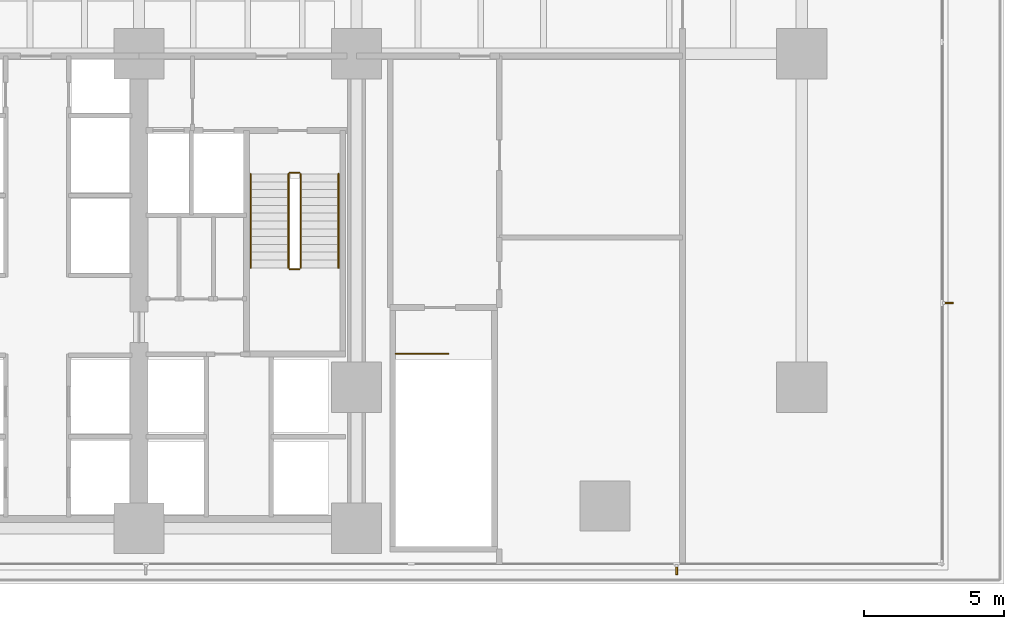
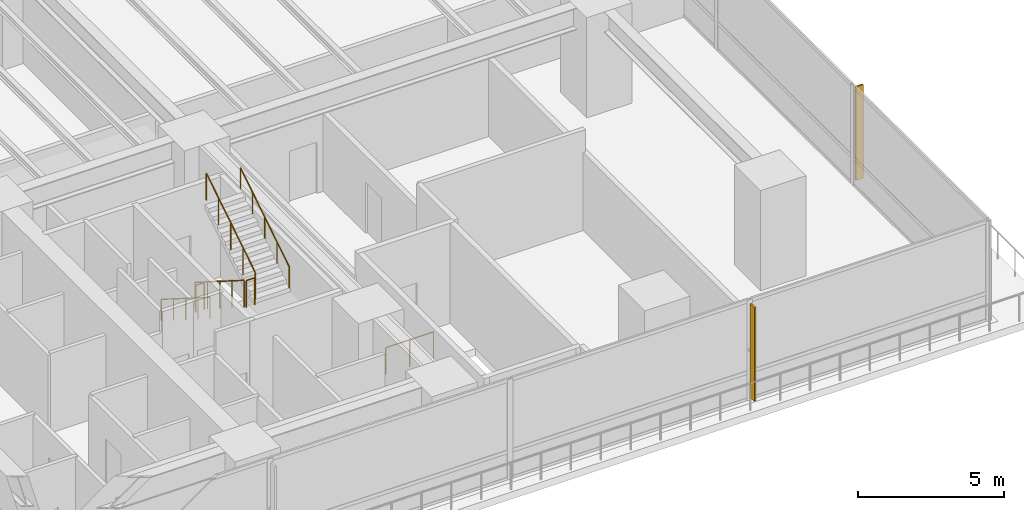
# One storey, part 18 of 21: 7 railings, 2 shading devices.
"""IFC4 building model written with IfcOpenShell, lengths in metres."""

import ifcopenshell
import ifcopenshell.guid

model = None  # the IFC model being written
_history = None  # IfcOwnerHistory: only IFC2X3 demands one
_inside = {}  # id of a spatial element -> (the spatial element, [elements in it])
_under = {}  # id of a project, library or spatial element -> (it, [spatial elements below it])
_declared = {}  # id of a project -> (the project, [libraries it declares])
_typed = {}  # id of a type object -> (the type object, [elements of that type])
_made_of = {}  # id of a material, layer set ... -> (it, [elements and type objects made of it])


def new_model(schema):
    """Start an empty IFC model of exactly this schema.

    Asked for "IFC4X3", IfcOpenShell would pick the latest addendum, in which some entities
    have other attributes; the version numbers below select the first issue.
    IFC2X3 requires an IfcOwnerHistory on every rooted entity: one is made here for all.
    """
    global model, _history
    if schema == "IFC4X3":
        model = ifcopenshell.file(schema_version=(4, 3, 0, 0))
    else:
        model = ifcopenshell.file(schema=schema)
    _inside.clear()
    _under.clear()
    _declared.clear()
    _typed.clear()
    _made_of.clear()
    _history = None
    if model.schema == "IFC2X3":
        org = make("IfcOrganization", Name="unknown")
        user = make(
            "IfcPersonAndOrganization",
            ThePerson=make("IfcPerson", FamilyName="unknown"),
            TheOrganization=org,
        )
        app = make(
            "IfcApplication",
            ApplicationDeveloper=org,
            Version="unknown",
            ApplicationFullName="unknown",
            ApplicationIdentifier="unknown",
        )
        _history = make(
            "IfcOwnerHistory",
            OwningUser=user,
            OwningApplication=app,
            ChangeAction="ADDED",
            CreationDate=0,
        )
    return model


def make(cls, **values):
    """One entity of the class cls with the attributes given. An attribute that is None is left unset."""
    return model.create_entity(
        cls, **{name: value for name, value in values.items() if value is not None}
    )


def rooted(cls, **values):
    """An entity with a GlobalId (a new one), such as an element, a storey or a relation."""
    return make(cls, GlobalId=ifcopenshell.guid.new(), OwnerHistory=_history, **values)


def si_unit(unit_type, name, prefix=None):
    """IfcSIUnit, for example si_unit("LENGTHUNIT", "METRE", prefix="MILLI")."""
    return make("IfcSIUnit", UnitType=unit_type, Prefix=prefix, Name=name)


def assignment(units):
    """IfcUnitAssignment: the units of a project."""
    return None if units is None else make("IfcUnitAssignment", Units=units)


def point(xyz):
    """IfcCartesianPoint."""
    return None if xyz is None else make("IfcCartesianPoint", Coordinates=xyz)


def direction(xyz):
    """IfcDirection."""
    return None if xyz is None else make("IfcDirection", DirectionRatios=xyz)


def frame(location, z_axis=None, x_axis=None):
    """IfcAxis2Placement3D, a coordinate frame: its origin and axes. An axis left out is left unset."""
    return make(
        "IfcAxis2Placement3D",
        Location=point(location),
        Axis=direction(z_axis),
        RefDirection=direction(x_axis),
    )


def frame_2d(location, x_axis=None):
    """IfcAxis2Placement2D, a coordinate frame in the plane: its origin and x axis."""
    return make(
        "IfcAxis2Placement2D", Location=point(location), RefDirection=direction(x_axis)
    )


def origin():
    """The frame at (0, 0, 0) with its axes left unset."""
    return frame((0.0, 0.0, 0.0))


def origin_2d():
    """The frame at (0, 0) in the plane with its x axis left unset."""
    return frame_2d((0.0, 0.0))


def place(relative_to, where):
    """IfcLocalPlacement: puts the frame where relative to a parent placement (None: the world)."""
    return make(
        "IfcLocalPlacement", PlacementRelTo=relative_to, RelativePlacement=where
    )


def context(
    kind, dimensions, precision=None, world=None, true_north=None, identifier=None
):
    """IfcGeometricRepresentationContext, for example the 3D "Model" context."""
    return make(
        "IfcGeometricRepresentationContext",
        ContextIdentifier=identifier,
        ContextType=kind,
        CoordinateSpaceDimension=dimensions,
        Precision=precision,
        WorldCoordinateSystem=world,
        TrueNorth=true_north,
    )


def subcontext(parent, identifier, kind, view, scale=None):
    """IfcGeometricRepresentationSubContext, for example "Body" below "Model"."""
    return make(
        "IfcGeometricRepresentationSubContext",
        ContextIdentifier=identifier,
        ContextType=kind,
        ParentContext=parent,
        TargetScale=scale,
        TargetView=view,
    )


def project(units=None, contexts=None):
    """IfcProject with its units and contexts."""
    return rooted(
        "IfcProject",
        Name="project",
        RepresentationContexts=contexts,
        UnitsInContext=assignment(units),
    )


def spatial(cls, under=None, at=None, **own):
    """A site, building, storey or space (cls), placed at a placement, below another one or the project."""
    s = rooted(cls, ObjectPlacement=at, **own)
    if under is not None:
        _under.setdefault(under.id(), (under, []))[1].append(s)
    return s


def polyline(points):
    """IfcPolyline through the points."""
    return make("IfcPolyline", Points=[point(p) for p in points])


def profile(cls, at=None, kind="AREA", **sizes):
    """A parametric profile (cls). Its sizes go by their IFC names, for example OverallWidth=200.0."""
    return make(cls, ProfileType=kind, Position=at, **sizes)


def circle(**sizes):
    """IfcCircleProfileDef."""
    return profile("IfcCircleProfileDef", **sizes)


def outline(outer, holes=None, kind="AREA"):
    """IfcArbitraryClosedProfileDef: a profile drawn as a closed curve; with holes, ...WithVoids."""
    if holes is None:
        return make("IfcArbitraryClosedProfileDef", ProfileType=kind, OuterCurve=outer)
    return make(
        "IfcArbitraryProfileDefWithVoids",
        ProfileType=kind,
        OuterCurve=outer,
        InnerCurves=holes,
    )


def extrude(swept, where, along, depth):
    """IfcExtrudedAreaSolid: the profile swept, set in the frame where, extruded along a direction by depth."""
    return make(
        "IfcExtrudedAreaSolid",
        SweptArea=swept,
        Position=where,
        ExtrudedDirection=direction(along),
        Depth=depth,
    )


def shape(context_of_items, identifier, shape_type, items):
    """IfcShapeRepresentation: the items that make up one representation, for example the "Body"."""
    return make(
        "IfcShapeRepresentation",
        ContextOfItems=context_of_items,
        RepresentationIdentifier=identifier,
        RepresentationType=shape_type,
        Items=items,
    )


def material(Name=None, Category=None):
    """IfcMaterial."""
    return make("IfcMaterial", Name=Name, Category=Category)


def layer(
    of_material, thickness, ventilated=None, Name=None, Category=None, Priority=None
):
    """IfcMaterialLayer: one layer of a wall or slab, of a material (None: an air gap)."""
    return make(
        "IfcMaterialLayer",
        Material=of_material,
        LayerThickness=thickness,
        IsVentilated=ventilated,
        Name=Name,
        Category=Category,
        Priority=Priority,
    )


def layer_set(layers, Name=None):
    """IfcMaterialLayerSet."""
    return make("IfcMaterialLayerSet", MaterialLayers=layers, LayerSetName=Name)


def made_of(thing, what):
    """Note that an element or type object is made of a material, layer set ...; save() writes the relation."""
    if what is not None:
        _made_of.setdefault(what.id(), (what, []))[1].append(thing)
    return thing


def type_object(cls, material=None, **own):
    """A type object (cls), such as IfcWallType, which elements share."""
    return made_of(rooted(cls, **own), material)


def element(
    cls,
    number,
    at=None,
    inside=None,
    cuts=None,
    type_object=None,
    material=None,
    context=None,
    identifier="Body",
    shape_type=None,
    held_by="IfcProductDefinitionShape",
    body=None,
    shapes=None,
    **own,
):
    """One element of the class cls, such as IfcWall. Its Tag is "e" and its number.

    at: its placement. inside: the storey or other place that contains it. cuts: it is an
    opening in that element (IfcRelVoidsElement). A single representation is given by context,
    identifier, shape_type and body (its items); several are given by shapes. held_by: the class
    of the entity that holds the representations. save() writes the other relations.
    """
    e = rooted(cls, Tag="e%d" % number, ObjectPlacement=at, **own)
    if body is not None:
        shapes = [shape(context, identifier, shape_type, body)]
    if shapes is not None:
        e.Representation = make(held_by, Representations=shapes)
    if inside is not None:
        _inside.setdefault(inside.id(), (inside, []))[1].append(e)
    if cuts is not None:
        rooted(
            "IfcRelVoidsElement", RelatingBuildingElement=cuts, RelatedOpeningElement=e
        )
    if type_object is not None:
        _typed.setdefault(type_object.id(), (type_object, []))[1].append(e)
    return made_of(e, material)


def aggregate(whole, parts):
    """IfcRelAggregates: a whole, such as a stair, and the parts it consists of."""
    return rooted("IfcRelAggregates", RelatingObject=whole, RelatedObjects=parts)


def save(model, path):
    """Write the relations noted so far, then the file.

    IfcRelAggregates (storeys below a building ...), IfcRelContainedInSpatialStructure (elements
    in a storey), IfcRelDefinesByType, IfcRelAssociatesMaterial and IfcRelDeclares: one each for
    every whole, place, type object, material and project.
    """
    for whole, parts in _under.values():
        aggregate(whole, parts)
    for where, things in _inside.values():
        rooted(
            "IfcRelContainedInSpatialStructure",
            RelatedElements=things,
            RelatingStructure=where,
        )
    for kind, things in _typed.values():
        rooted("IfcRelDefinesByType", RelatedObjects=things, RelatingType=kind)
    for what, things in _made_of.values():
        rooted("IfcRelAssociatesMaterial", RelatedObjects=things, RelatingMaterial=what)
    for by, libraries in _declared.values():
        rooted("IfcRelDeclares", RelatingContext=by, RelatedDefinitions=libraries)
    model.write(path)


model = new_model("IFC4")

# Units and contexts
model_context = context("Model", 3, precision=1e-05, world=origin(), true_north=direction((0.0, 1.0)))
body_context = subcontext(model_context, "Body", "Model", "MODEL_VIEW")
ifc_project = project(units=[si_unit("LENGTHUNIT", "METRE"), si_unit("AREAUNIT", "SQUARE_METRE"), si_unit("VOLUMEUNIT", "CUBIC_METRE"), si_unit("PLANEANGLEUNIT", "RADIAN"), si_unit("MASSUNIT", "GRAM", prefix="KILO")], contexts=[model_context])

# Site, building, storey
site_placement = place(None, origin())
site = spatial("IfcSite", under=ifc_project, at=site_placement, CompositionType="ELEMENT")
building_placement = place(site_placement, origin())
building = spatial("IfcBuilding", under=site, at=building_placement, Name="Qalmaran Belvedere Hotel", CompositionType="ELEMENT")
storey_placement = place(building_placement, frame((0.0, 0.0, 23.800048828125)))
storey = spatial("IfcBuildingStorey", under=building, at=storey_placement, Name="L05", CompositionType="ELEMENT", Elevation=23.800048828125)

# Shading devices
ifc_material_1 = material(Name="Anodised Bronze Aluminium", Category="aluminium")
ifc_layer = layer(ifc_material_1, 0.06494140625, Name="Anodised Bronze Aluminium")
ifc_layer_set = layer_set([ifc_layer], Name="Anodised Bronze Aluminium")
shading_device_type = type_object("IfcShadingDeviceType", Name="FIN-BRNZ-300", PredefinedType="USERDEFINED", material=ifc_layer_set)
shading_device_1_placement = place(storey_placement, frame((0.0, 0.0, 0.159912109375)))
element("IfcShadingDevice", 1, at=shading_device_1_placement, inside=storey, type_object=shading_device_type, Name="L05 Bronze Fin 5", ObjectType="FIN", PredefinedType="USERDEFINED", context=body_context, shape_type="SweptSolid", body=[
    extrude(outline(polyline([(56.237548828125, 2.12744140625), (56.237548828125, 1.827392578125), (56.302490234375, 1.827392578125), (56.302490234375, 2.12744140625), (56.237548828125, 2.12744140625)])), origin(), (0.0, 0.0, 1.0), 3.919921875),
])
shading_device_2_placement = place(storey_placement, frame((0.0, 0.0, 0.159912109375)))
element("IfcShadingDevice", 2, at=shading_device_2_placement, inside=storey, type_object=shading_device_type, Name="L05 Bronze Fin 1", ObjectType="FIN", PredefinedType="USERDEFINED", context=body_context, shape_type="SweptSolid", body=[
    extrude(outline(polyline([(65.87255859375, 11.53955078125), (66.172607421875, 11.53955078125), (66.172607421875, 11.6044921875), (65.87255859375, 11.6044921875), (65.87255859375, 11.53955078125)])), origin(), (0.0, 0.0, 1.0), 3.919921875),
])

# Railings
ifc_material_2 = material(Name="Stainless Steel 1.4401", Category="steel")
railing_type_1 = type_object("IfcRailingType", Name="RLG-STAIR-GUARD-1150", PredefinedType="GUARDRAIL", material=ifc_material_2)
railing_1_placement = place(storey_placement, frame((42.360107421875, 16.18994140625, 0.1767578125)))
element("IfcRailing", 3, at=railing_1_placement, inside=storey, type_object=railing_type_1, Name="L05 ST-2 stair guard 1", PredefinedType="GUARDRAIL", context=body_context, shape_type="SweptSolid", body=[
    extrude(circle(Radius=0.02392578125, at=origin_2d()), frame((0.0, 0.0, 1.1259765625), z_axis=(0.0, -0.845344368971, 0.534221768416), x_axis=(1.0, 0.0, 0.0)), (0.0, 0.0, 1.0), 3.974609375),
    extrude(circle(Radius=0.02099609375, at=origin_2d()), origin(), (0.0, 0.0, 1.0), 1.101806640625),
    extrude(circle(Radius=0.02099609375, at=origin_2d()), frame((0.0, -0.83984375, 0.53076171875)), (0.0, 0.0, 1.0), 1.101806640625),
    extrude(circle(Radius=0.02099609375, at=origin_2d()), frame((0.0, -1.679931640625, 1.0615234375)), (0.0, 0.0, 1.0), 1.101806640625),
    extrude(circle(Radius=0.02099609375, at=origin_2d()), frame((0.0, -2.52001953125, 1.592529296875)), (0.0, 0.0, 1.0), 1.101806640625),
    extrude(circle(Radius=0.02099609375, at=origin_2d()), frame((0.0, -3.35986328125, 2.123291015625)), (0.0, 0.0, 1.0), 1.101806640625),
])
railing_2_placement = place(storey_placement, frame((42.409912109375, 12.780029296875, 2.300048828125)))
element("IfcRailing", 4, at=railing_2_placement, inside=storey, type_object=railing_type_1, Name="L05 ST-2 stair guard 2", PredefinedType="GUARDRAIL", context=body_context, shape_type="SweptSolid", body=[
    extrude(circle(Radius=0.02392578125, at=origin_2d()), frame((0.0, 0.0, 1.1259765625), z_axis=(1.0, 0.0, 0.0), x_axis=(0.0, 1.0, 0.0)), (0.0, 0.0, 1.0), 0.340087890625),
    extrude(circle(Radius=0.02099609375, at=origin_2d()), origin(), (0.0, 0.0, 1.0), 1.101806640625),
    extrude(circle(Radius=0.02099609375, at=origin_2d()), frame((0.340087890625, 0.0, 0.0)), (0.0, 0.0, 1.0), 1.101806640625),
])
railing_3_placement = place(storey_placement, frame((42.800048828125, 12.830078125, 2.476806640625)))
element("IfcRailing", 5, at=railing_3_placement, inside=storey, type_object=railing_type_1, Name="L05 ST-2 stair guard 3", PredefinedType="GUARDRAIL", context=body_context, shape_type="SweptSolid", body=[
    extrude(circle(Radius=0.02392578125, at=origin_2d()), frame((0.0, 0.0, 1.1259765625), z_axis=(0.0, 0.845372108799, 0.534177870812), x_axis=(-1.0, 0.0, 0.0)), (0.0, 0.0, 1.0), 3.974365234375),
    extrude(circle(Radius=0.02099609375, at=origin_2d()), origin(), (0.0, 0.0, 1.0), 1.101806640625),
    extrude(circle(Radius=0.02099609375, at=origin_2d()), frame((0.0, 0.83984375, 0.53076171875)), (0.0, 0.0, 1.0), 1.101806640625),
    extrude(circle(Radius=0.02099609375, at=origin_2d()), frame((0.0, 1.679931640625, 1.0615234375)), (0.0, 0.0, 1.0), 1.101806640625),
    extrude(circle(Radius=0.02099609375, at=origin_2d()), frame((0.0, 2.52001953125, 1.59228515625)), (0.0, 0.0, 1.0), 1.101806640625),
    extrude(circle(Radius=0.02099609375, at=origin_2d()), frame((0.0, 3.35986328125, 2.123046875)), (0.0, 0.0, 1.0), 1.101806640625),
])
railing_4_placement = place(storey_placement, frame((42.409912109375, 16.239990234375, 0.0)))
element("IfcRailing", 6, at=railing_4_placement, inside=storey, type_object=railing_type_1, Name="L05 ST-2 stair guard 4", PredefinedType="GUARDRAIL", context=body_context, shape_type="SweptSolid", body=[
    extrude(circle(Radius=0.02392578125, at=origin_2d()), frame((0.0, 0.0, 1.1259765625), z_axis=(1.0, 0.0, 0.0), x_axis=(0.0, 1.0, 0.0)), (0.0, 0.0, 1.0), 0.340087890625),
    extrude(circle(Radius=0.02099609375, at=origin_2d()), origin(), (0.0, 0.0, 1.0), 1.101806640625),
    extrude(circle(Radius=0.02099609375, at=origin_2d()), frame((0.340087890625, 0.0, 0.0)), (0.0, 0.0, 1.0), 1.101806640625),
])
railing_5_placement = place(storey_placement, frame((46.199951171875, 9.75, 0.0)))
element("IfcRailing", 7, at=railing_5_placement, inside=storey, type_object=railing_type_1, Name="L05 ST-P2 top well guard 1", PredefinedType="GUARDRAIL", context=body_context, shape_type="SweptSolid", body=[
    extrude(circle(Radius=0.02392578125, at=origin_2d()), frame((0.0, 0.0, 1.1259765625), z_axis=(1.0, 0.0, 0.0), x_axis=(0.0, 1.0, 0.0)), (0.0, 0.0, 1.0), 1.89013671875),
    extrude(circle(Radius=0.02099609375, at=origin_2d()), origin(), (0.0, 0.0, 1.0), 1.101806640625),
    extrude(circle(Radius=0.02099609375, at=origin_2d()), frame((0.945068359375, 0.0, 0.0)), (0.0, 0.0, 1.0), 1.101806640625),
    extrude(circle(Radius=0.02099609375, at=origin_2d()), frame((1.89013671875, 0.0, 0.0)), (0.0, 0.0, 1.0), 1.101806640625),
])
railing_type_2 = type_object("IfcRailingType", Name="RLG-STAIR-HAND-910", PredefinedType="HANDRAIL", material=ifc_material_2)
railing_6_placement = place(storey_placement, frame((41.010009765625, 16.18994140625, 0.1767578125)))
element("IfcRailing", 8, at=railing_6_placement, inside=storey, type_object=railing_type_2, Name="L05 ST-2 stair handrail 1", PredefinedType="HANDRAIL", context=body_context, shape_type="SweptSolid", body=[
    extrude(circle(Radius=0.02392578125, at=origin_2d()), frame((0.0, 0.0, 0.8857421875), z_axis=(0.0, -0.845344368971, 0.534221768416), x_axis=(1.0, 0.0, 0.0)), (0.0, 0.0, 1.0), 3.974609375),
    extrude(circle(Radius=0.02099609375, at=origin_2d()), origin(), (0.0, 0.0, 1.0), 0.86181640625),
    extrude(circle(Radius=0.02099609375, at=origin_2d()), frame((0.0, -0.83984375, 0.53076171875)), (0.0, 0.0, 1.0), 0.86181640625),
    extrude(circle(Radius=0.02099609375, at=origin_2d()), frame((0.0, -1.679931640625, 1.0615234375)), (0.0, 0.0, 1.0), 0.86181640625),
    extrude(circle(Radius=0.02099609375, at=origin_2d()), frame((0.0, -2.52001953125, 1.592529296875)), (0.0, 0.0, 1.0), 0.86181640625),
    extrude(circle(Radius=0.02099609375, at=origin_2d()), frame((0.0, -3.35986328125, 2.123291015625)), (0.0, 0.0, 1.0), 0.86181640625),
])
railing_7_placement = place(storey_placement, frame((44.14990234375, 12.830078125, 2.476806640625)))
element("IfcRailing", 9, at=railing_7_placement, inside=storey, type_object=railing_type_2, Name="L05 ST-2 stair handrail 2", PredefinedType="HANDRAIL", context=body_context, shape_type="SweptSolid", body=[
    extrude(circle(Radius=0.02392578125, at=origin_2d()), frame((0.0, 0.0, 0.8857421875), z_axis=(0.0, 0.845372108799, 0.534177870812), x_axis=(-1.0, 0.0, 0.0)), (0.0, 0.0, 1.0), 3.974365234375),
    extrude(circle(Radius=0.02099609375, at=origin_2d()), origin(), (0.0, 0.0, 1.0), 0.86181640625),
    extrude(circle(Radius=0.02099609375, at=origin_2d()), frame((0.0, 0.83984375, 0.53076171875)), (0.0, 0.0, 1.0), 0.86181640625),
    extrude(circle(Radius=0.02099609375, at=origin_2d()), frame((0.0, 1.679931640625, 1.0615234375)), (0.0, 0.0, 1.0), 0.86181640625),
    extrude(circle(Radius=0.02099609375, at=origin_2d()), frame((0.0, 2.52001953125, 1.59228515625)), (0.0, 0.0, 1.0), 0.86181640625),
    extrude(circle(Radius=0.02099609375, at=origin_2d()), frame((0.0, 3.35986328125, 2.123046875)), (0.0, 0.0, 1.0), 0.86181640625),
])

save(model, "model.ifc")
